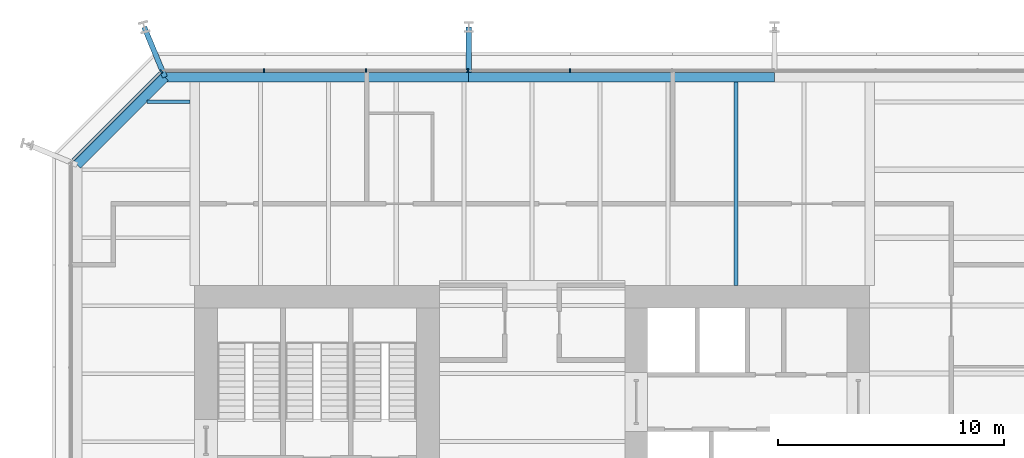
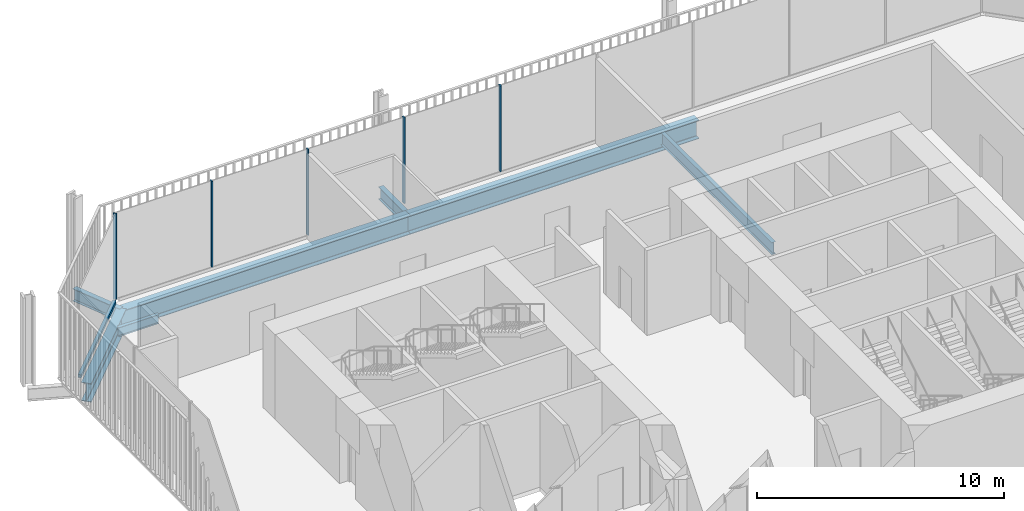
# One storey, part 12 of 20: 7 beams, 6 members, 2 elements without a shape of their own.
"""IFC4 building model written with IfcOpenShell, lengths in metres."""

from ifc_helpers import new_model, si_unit, direction, frame, origin, origin_2d, place, context, subcontext, project, spatial, rectangle, i_section, extrude, material, layer, layer_set, material_profile, profile_set, type_object, element, aggregate, save


model = new_model("IFC4")

# Units and contexts
model_context = context("Model", 3, precision=1e-05, world=origin(), true_north=direction((0.0, 1.0)))
body_context = subcontext(model_context, "Body", "Model", "MODEL_VIEW")
ifc_project = project(units=[si_unit("LENGTHUNIT", "METRE"), si_unit("AREAUNIT", "SQUARE_METRE"), si_unit("VOLUMEUNIT", "CUBIC_METRE"), si_unit("PLANEANGLEUNIT", "RADIAN"), si_unit("MASSUNIT", "GRAM", prefix="KILO")], contexts=[model_context])

# Site, building, storey
site_placement = place(None, origin())
site = spatial("IfcSite", under=ifc_project, at=site_placement, CompositionType="ELEMENT")
building_placement = place(site_placement, origin())
building = spatial("IfcBuilding", under=site, at=building_placement, Name="Millrace Tower", CompositionType="ELEMENT")
storey_placement = place(building_placement, frame((0.0, 0.0, 86.39990234375)))
storey = spatial("IfcBuildingStorey", under=building, at=storey_placement, Name="L19", CompositionType="ELEMENT", Elevation=86.39990234375)

# Curtain wall, members
ifc_material_1 = material(Name="Aluminium and glass", Category="aluminium")
ifc_layer = layer(ifc_material_1, 0.14990234375)
ifc_layer_set = layer_set([ifc_layer], Name="Aluminium and glass")
curtain_wall_type = type_object("IfcCurtainWallType", Name="CW-3 telecom floor curtain wall", PredefinedType="NOTDEFINED", material=ifc_layer_set)
placement = place(storey_placement, origin())
curtain_wall_1 = element("IfcCurtainWall", 1, at=placement, inside=storey, type_object=curtain_wall_type, Name="Curtain wall B-F06 L19", PredefinedType="NOTDEFINED")
ifc_material_2 = material(Name="Aluminium", Category="aluminium")
ifc_material_profile_1 = material_profile(ifc_material_2, rectangle(XDim=0.06494140625, YDim=0.14990234375, at=origin_2d()))
ifc_profile_set_1 = profile_set([ifc_material_profile_1], Name="Aluminium")
member_type_1 = type_object("IfcMemberType", Name="CW-3 telecom floor curtain wall mullion", PredefinedType="MULLION", material=ifc_profile_set_1)
member_1_placement = place(storey_placement, frame((1.66748046875, 19.375, 0.150146484375), z_axis=(0.0, 0.0, 1.0), x_axis=(-1.0, 0.0, 0.0)))
member_1 = element("IfcMember", 2, at=member_1_placement, type_object=member_type_1, Name="CW3 mullion B-F06.6", PredefinedType="MULLION", context=body_context, shape_type="SweptSolid", body=[
    extrude(rectangle(XDim=0.06494140625, YDim=0.14990234375, at=origin_2d()), origin(), (0.0, 0.0, 1.0), 4.25),
])
member_2_placement = place(storey_placement, frame((-2.83251953125, 19.375, 0.150146484375), z_axis=(0.0, 0.0, 1.0), x_axis=(-1.0, 0.0, 0.0)))
member_2 = element("IfcMember", 3, at=member_2_placement, type_object=member_type_1, Name="CW3 mullion B-F06.7", PredefinedType="MULLION", context=body_context, shape_type="SweptSolid", body=[
    extrude(rectangle(XDim=0.06494140625, YDim=0.14990234375, at=origin_2d()), origin(), (0.0, 0.0, 1.0), 4.25),
])
member_3_placement = place(storey_placement, frame((-7.33251953125, 19.375, 0.150146484375), z_axis=(0.0, 0.0, 1.0), x_axis=(-1.0, 0.0, 0.0)))
member_3 = element("IfcMember", 4, at=member_3_placement, type_object=member_type_1, Name="CW3 mullion B-F06.8", PredefinedType="MULLION", context=body_context, shape_type="SweptSolid", body=[
    extrude(rectangle(XDim=0.06494140625, YDim=0.14990234375, at=origin_2d()), origin(), (0.0, 0.0, 1.0), 4.25),
])
member_4_placement = place(storey_placement, frame((-11.83251953125, 19.375, 0.150146484375), z_axis=(0.0, 0.0, 1.0), x_axis=(-1.0, 0.0, 0.0)))
member_4 = element("IfcMember", 5, at=member_4_placement, type_object=member_type_1, Name="CW3 mullion B-F06.9", PredefinedType="MULLION", context=body_context, shape_type="SweptSolid", body=[
    extrude(rectangle(XDim=0.06494140625, YDim=0.14990234375, at=origin_2d()), origin(), (0.0, 0.0, 1.0), 4.25),
])
aggregate(curtain_wall_1, [member_1, member_2, member_3, member_4])

curtain_wall_2 = element("IfcCurtainWall", 6, at=placement, inside=storey, type_object=curtain_wall_type, Name="Curtain wall B-F07 L19", PredefinedType="NOTDEFINED")
member_5_placement = place(storey_placement, frame((-16.3759765625, 19.330078125, 0.150146484375), z_axis=(0.0, 0.0, 1.0), x_axis=(-0.707106781187, -0.707106781187, 0.0)))
member_5 = element("IfcMember", 7, at=member_5_placement, type_object=member_type_1, Name="CW3 mullion B-F07.1", PredefinedType="MULLION", context=body_context, shape_type="SweptSolid", body=[
    extrude(rectangle(XDim=0.06494140625, YDim=0.14990234375, at=origin_2d()), origin(), (0.0, 0.0, 1.0), 4.25),
])
ifc_material_3 = material(Name="Aluminium", Category="aluminium")
ifc_material_profile_2 = material_profile(ifc_material_3, rectangle(XDim=0.14990234375, YDim=0.14990234375, at=origin_2d()))
ifc_profile_set_2 = profile_set([ifc_material_profile_2], Name="Aluminium")
member_type_2 = type_object("IfcMemberType", Name="CW-3 telecom floor curtain wall transom", PredefinedType="USERDEFINED", material=ifc_profile_set_2)
member_6_placement = place(storey_placement, frame((-16.423828125, 19.2822265625, 0.0751953125), z_axis=(-0.707106781187, -0.707106781187, 0.0), x_axis=(0.707106781187, -0.707106781187, 0.0)))
member_6 = element("IfcMember", 8, at=member_6_placement, type_object=member_type_2, Name="CW3 transom B-F07.1", ObjectType="TRANSOM", PredefinedType="USERDEFINED", context=body_context, shape_type="SweptSolid", body=[
    extrude(rectangle(XDim=0.14990234375, YDim=0.14990234375, at=origin_2d()), origin(), (0.0, 0.0, 1.0), 5.45654296875),
])
aggregate(curtain_wall_2, [member_5, member_6])

# Beams
ifc_material_4 = material(Name="Steel ASTM A992 Grade 50", Category="steel")
ifc_material_profile_3 = material_profile(ifc_material_4, i_section(OverallWidth=0.15234375, OverallDepth=0.449462890625, WebThickness=0.007568359375, FlangeThickness=0.0107421875, FilletRadius=0.01025390625, at=origin_2d()))
ifc_profile_set_3 = profile_set([ifc_material_profile_3], Name="Steel ASTM A992 Grade 50")
beam_type_1 = type_object("IfcBeamType", Name="Floor beam W18x35", PredefinedType="JOIST", material=ifc_profile_set_3)
beam_1_placement = place(storey_placement, frame((-16.995361328125, 18.0, -0.4248046875), z_axis=(1.0, 0.0, 0.0), x_axis=(0.0, 1.0, 0.0)))
element("IfcBeam", 9, at=beam_1_placement, inside=storey, type_object=beam_type_1, Name="BM-B-L19-S1-S038", PredefinedType="JOIST", context=body_context, shape_type="SweptSolid", body=[
    extrude(i_section(OverallWidth=0.15234375, OverallDepth=0.449462890625, WebThickness=0.007568359375, FlangeThickness=0.0107421875, FilletRadius=0.01025390625, at=origin_2d()), origin(), (0.0, 0.0, 1.0), 1.884521484375),
])
ifc_material_5 = material(Name="Steel ASTM A992 Grade 50", Category="steel")
ifc_material_profile_4 = material_profile(ifc_material_5, i_section(OverallWidth=0.177978515625, OverallDepth=0.599365234375, WebThickness=0.010009765625, FlangeThickness=0.012939453125, FilletRadius=0.012939453125, at=origin_2d()))
ifc_profile_set_4 = profile_set([ifc_material_profile_4], Name="Steel ASTM A992 Grade 50")
beam_type_2 = type_object("IfcBeamType", Name="Floor beam W24x55", PredefinedType="JOIST", material=ifc_profile_set_4)
beam_2_placement = place(storey_placement, frame((9.0, 9.89990234375, -0.49951171875), z_axis=(0.0, 1.0, 0.0), x_axis=(-1.0, 0.0, 0.0)))
element("IfcBeam", 10, at=beam_2_placement, inside=storey, type_object=beam_type_2, Name="BM-B-L19-S1-S054", PredefinedType="JOIST", context=body_context, shape_type="SweptSolid", body=[
    extrude(i_section(OverallWidth=0.177978515625, OverallDepth=0.599365234375, WebThickness=0.010009765625, FlangeThickness=0.012939453125, FilletRadius=0.012939453125, at=origin_2d()), origin(), (0.0, 0.0, 1.0), 8.98095703125),
])
ifc_material_6 = material(Name="Steel ASTM A992 Grade 50", Category="steel")
ifc_material_profile_5 = material_profile(ifc_material_6, i_section(OverallWidth=0.23046875, OverallDepth=0.6171875, WebThickness=0.01318359375, FlangeThickness=0.022216796875, FilletRadius=0.012939453125, at=origin_2d()))
ifc_profile_set_5 = profile_set([ifc_material_profile_5], Name="Steel ASTM A992 Grade 50")
beam_type_3 = type_object("IfcBeamType", Name="Link beam W24x94", PredefinedType="BEAM", material=ifc_profile_set_5)
beam_3_placement = place(storey_placement, frame((-16.213134765625, 19.09033203125, -0.508544921875), z_axis=(-0.382679341507, 0.923881226989, 0.0), x_axis=(-0.923881226989, -0.382679341507, 0.0)))
element("IfcBeam", 11, at=beam_3_placement, inside=storey, type_object=beam_type_3, Name="LNK-B-L19-S1-05", PredefinedType="BEAM", context=body_context, shape_type="SweptSolid", body=[
    extrude(i_section(OverallWidth=0.23046875, OverallDepth=0.6171875, WebThickness=0.01318359375, FlangeThickness=0.022216796875, FilletRadius=0.012939453125, at=origin_2d()), origin(), (0.0, 0.0, 1.0), 2.391845703125),
])
beam_4_placement = place(storey_placement, frame((-2.800048828125, 19.300048828125, -0.508544921875), z_axis=(0.0, 1.0, 0.0), x_axis=(-1.0, 0.0, 0.0)))
element("IfcBeam", 12, at=beam_4_placement, inside=storey, type_object=beam_type_3, Name="LNK-B-L19-S1-06", PredefinedType="BEAM", context=body_context, shape_type="SweptSolid", body=[
    extrude(i_section(OverallWidth=0.23046875, OverallDepth=0.6171875, WebThickness=0.01318359375, FlangeThickness=0.022216796875, FilletRadius=0.012939453125, at=origin_2d()), origin(), (0.0, 0.0, 1.0), 2.0),
])
ifc_material_7 = material(Name="Steel ASTM A992 Grade 50", Category="steel")
ifc_material_profile_6 = material_profile(ifc_material_7, i_section(OverallWidth=0.419189453125, OverallDepth=0.927001953125, WebThickness=0.019287109375, FlangeThickness=0.031982421875, FilletRadius=0.024169921875, at=origin_2d()))
ifc_profile_set_6 = profile_set([ifc_material_profile_6], Name="Steel ASTM A992 Grade 50")
beam_type_4 = type_object("IfcBeamType", Name="Ring beam medium span W36x231", PredefinedType="SPANDREL", material=ifc_profile_set_6)
beam_5_placement = place(storey_placement, frame((-16.213134765625, 19.09033203125, -0.66357421875), z_axis=(1.0, 0.0, 0.0), x_axis=(0.0, 1.0, 0.0)))
element("IfcBeam", 13, at=beam_5_placement, inside=storey, type_object=beam_type_4, Name="RNG-B-L19-S1-05", PredefinedType="SPANDREL", context=body_context, shape_type="SweptSolid", body=[
    extrude(i_section(OverallWidth=0.419189453125, OverallDepth=0.927001953125, WebThickness=0.019287109375, FlangeThickness=0.031982421875, FilletRadius=0.024169921875, at=origin_2d()), origin(), (0.0, 0.0, 1.0), 13.4130859375),
])
beam_6_placement = place(storey_placement, frame((-2.800048828125, 19.09033203125, -0.66357421875), z_axis=(1.0, 0.0, 0.0), x_axis=(0.0, 1.0, 0.0)))
element("IfcBeam", 14, at=beam_6_placement, inside=storey, type_object=beam_type_4, Name="RNG-B-L19-S1-06", PredefinedType="SPANDREL", context=body_context, shape_type="SweptSolid", body=[
    extrude(i_section(OverallWidth=0.419189453125, OverallDepth=0.927001953125, WebThickness=0.019287109375, FlangeThickness=0.031982421875, FilletRadius=0.024169921875, at=origin_2d()), origin(), (0.0, 0.0, 1.0), 13.5),
])
ifc_material_8 = material(Name="Steel ASTM A992 Grade 50", Category="steel")
ifc_material_profile_7 = material_profile(ifc_material_8, i_section(OverallWidth=0.419189453125, OverallDepth=0.927001953125, WebThickness=0.019287109375, FlangeThickness=0.031982421875, FilletRadius=0.024169921875, at=origin_2d()))
ifc_profile_set_7 = profile_set([ifc_material_profile_7], Name="Steel ASTM A992 Grade 50")
beam_type_5 = type_object("IfcBeamType", Name="Ring beam short span W36x231", PredefinedType="SPANDREL", material=ifc_profile_set_7)
beam_7_placement = place(storey_placement, frame((-20.09033203125, 15.213134765625, -0.66357421875), z_axis=(0.707106781187, 0.707106781187, 0.0), x_axis=(-0.707106781187, 0.707106781187, 0.0)))
element("IfcBeam", 15, at=beam_7_placement, inside=storey, type_object=beam_type_5, Name="RNG-B-L19-S1-04", PredefinedType="SPANDREL", context=body_context, shape_type="SweptSolid", body=[
    extrude(i_section(OverallWidth=0.419189453125, OverallDepth=0.927001953125, WebThickness=0.019287109375, FlangeThickness=0.031982421875, FilletRadius=0.024169921875, at=origin_2d()), origin(), (0.0, 0.0, 1.0), 5.483154296875),
])

save(model, "model.ifc")
